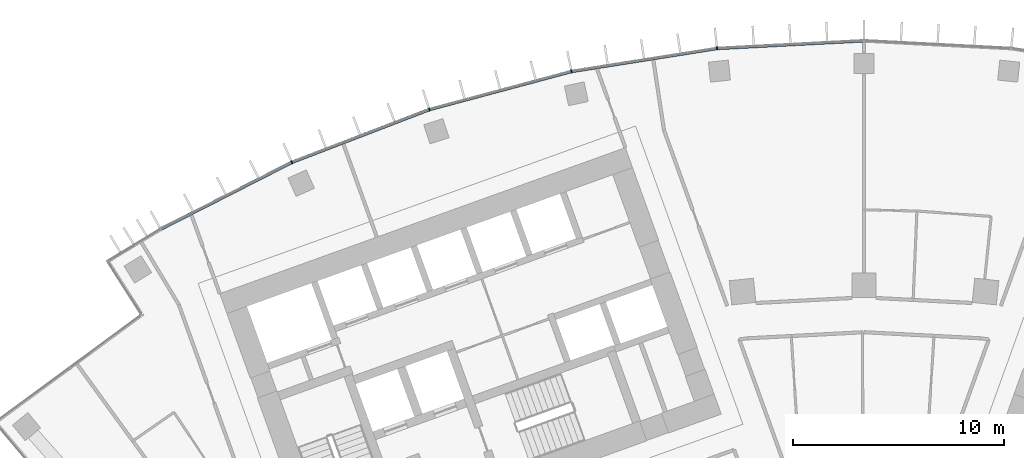
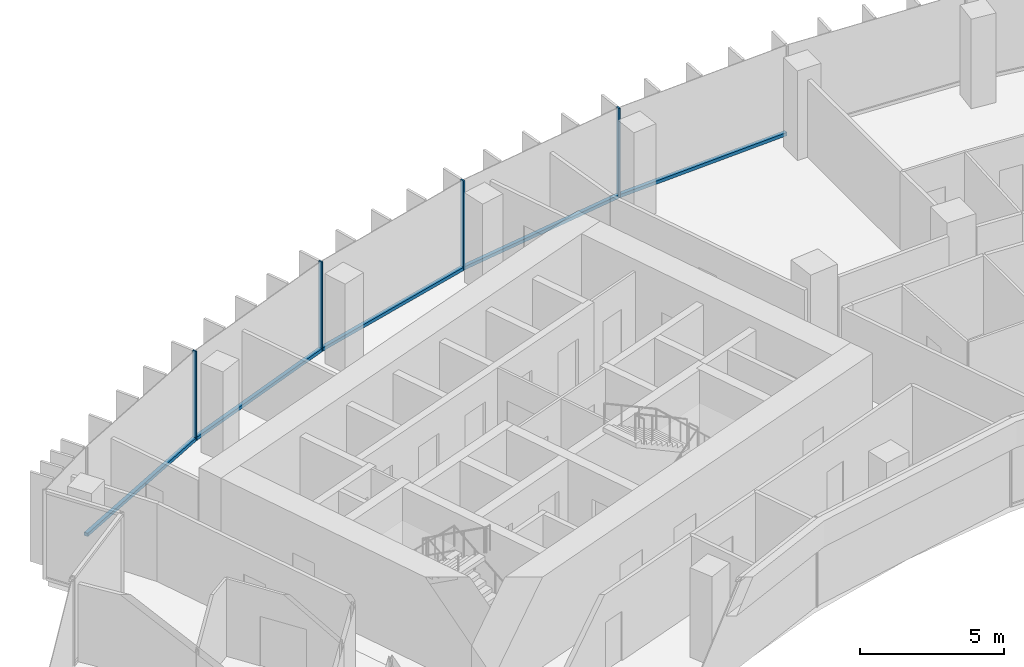
# One storey, part 6 of 19: 9 members, 1 element without a shape of its own.
"""IFC4 building model written with IfcOpenShell, lengths in metres."""

from ifc_helpers import new_model, si_unit, direction, frame, origin, origin_2d, place, context, subcontext, project, spatial, rectangle, extrude, material, layer, layer_set, material_profile, profile_set, type_object, element, aggregate, save


model = new_model("IFC4")

# Units and contexts
model_context = context("Model", 3, precision=1e-05, world=origin(), true_north=direction((0.0, 1.0)))
body_context = subcontext(model_context, "Body", "Model", "MODEL_VIEW")
ifc_project = project(units=[si_unit("LENGTHUNIT", "METRE"), si_unit("AREAUNIT", "SQUARE_METRE"), si_unit("VOLUMEUNIT", "CUBIC_METRE"), si_unit("PLANEANGLEUNIT", "RADIAN"), si_unit("MASSUNIT", "GRAM", prefix="KILO")], contexts=[model_context])

# Site, building, storey
site_placement = place(None, origin())
site = spatial("IfcSite", under=ifc_project, at=site_placement, CompositionType="ELEMENT")
building_placement = place(site_placement, origin())
building = spatial("IfcBuilding", under=site, at=building_placement, Name="Stone Belt Terrace Tower", CompositionType="ELEMENT")
storey_placement = place(building_placement, frame((0.0, 0.0, 246.60009765625)))
storey = spatial("IfcBuildingStorey", under=building, at=storey_placement, Name="L60", CompositionType="ELEMENT", Elevation=246.60009765625)

# Curtain wall, members
ifc_material = material(Name="Aluminium 6063-T6 anodised frame", Category="aluminium")
ifc_layer = layer(ifc_material, 0.14990234375)
ifc_layer_set = layer_set([ifc_layer], Name="CW-A unitised convex-face curtain wall")
curtain_wall_type = type_object("IfcCurtainWallType", Name="CW-A unitised convex-face curtain wall", PredefinedType="NOTDEFINED", material=ifc_layer_set)
curtain_wall_placement = place(storey_placement, origin())
curtain_wall = element("IfcCurtainWall", 1, at=curtain_wall_placement, inside=storey, type_object=curtain_wall_type, Name="CW-A convex face L60", PredefinedType="NOTDEFINED")
ifc_material_profile_1 = material_profile(ifc_material, rectangle(XDim=0.14990234375, YDim=0.06005859375, at=origin_2d()), Name="Aluminium 6063-T6 60x150")
ifc_profile_set_1 = profile_set([ifc_material_profile_1], Name="Aluminium 6063-T6 anodised frame")
member_type_1 = type_object("IfcMemberType", Name="CW-A mullion 60 x 150", PredefinedType="MULLION", material=ifc_profile_set_1)
member_1_placement = place(storey_placement, frame((-6.958984375, 66.21044921875, 0.0), z_axis=(0.0, 0.0, 1.0), x_axis=(0.104528463268, -0.994521895368, 0.0)))
member_1 = element("IfcMember", 2, at=member_1_placement, type_object=member_type_1, Name="CW-A mullion 10", PredefinedType="MULLION", context=body_context, shape_type="SweptSolid", body=[
    extrude(rectangle(XDim=0.14990234375, YDim=0.06005859375, at=origin_2d()), origin(), (0.0, 0.0, 1.0), 3.7998046875),
])
member_2_placement = place(storey_placement, frame((-13.841796875, 65.120361328125, 0.0), z_axis=(0.0, 0.0, 1.0), x_axis=(0.207911690818, -0.978147600734, 0.0)))
member_2 = element("IfcMember", 3, at=member_2_placement, type_object=member_type_1, Name="CW-A mullion 11", PredefinedType="MULLION", context=body_context, shape_type="SweptSolid", body=[
    extrude(rectangle(XDim=0.14990234375, YDim=0.06005859375, at=origin_2d()), origin(), (0.0, 0.0, 1.0), 3.7998046875),
])
member_3_placement = place(storey_placement, frame((-20.57275390625, 63.316650390625, 0.0), z_axis=(0.0, 0.0, 1.0), x_axis=(0.309016994375, -0.951056516295, 0.0)))
member_3 = element("IfcMember", 4, at=member_3_placement, type_object=member_type_1, Name="CW-A mullion 12", PredefinedType="MULLION", context=body_context, shape_type="SweptSolid", body=[
    extrude(rectangle(XDim=0.14990234375, YDim=0.06005859375, at=origin_2d()), origin(), (0.0, 0.0, 1.0), 3.7998046875),
])
member_4_placement = place(storey_placement, frame((-27.07861328125, 60.8193359375, 0.0), z_axis=(0.0, 0.0, 1.0), x_axis=(0.406736643076, -0.913545457643, 0.0)))
member_4 = element("IfcMember", 5, at=member_4_placement, type_object=member_type_1, Name="CW-A mullion 13", PredefinedType="MULLION", context=body_context, shape_type="SweptSolid", body=[
    extrude(rectangle(XDim=0.14990234375, YDim=0.06005859375, at=origin_2d()), origin(), (0.0, 0.0, 1.0), 3.7998046875),
])
ifc_material_profile_2 = material_profile(ifc_material, rectangle(XDim=0.14990234375, YDim=0.139892578125, at=origin_2d()), Name="Aluminium 6063-T6 150x140")
ifc_profile_set_2 = profile_set([ifc_material_profile_2], Name="Aluminium 6063-T6 anodised frame")
member_type_2 = type_object("IfcMemberType", Name="CW-A transom 140 x 150", PredefinedType="USERDEFINED", material=ifc_profile_set_2)
member_5_placement = place(storey_placement, frame((-0.033935546875, 66.5732421875, 0.06982421875), z_axis=(-0.998630019135, -0.052326712899, 0.0), x_axis=(0.052326712899, -0.998630019135, 0.0)))
member_5 = element("IfcMember", 6, at=member_5_placement, type_object=member_type_2, Name="CW-A transom 9.1", ObjectType="TRANSOM", PredefinedType="USERDEFINED", context=body_context, shape_type="SweptSolid", body=[
    extrude(rectangle(XDim=0.14990234375, YDim=0.139892578125, at=origin_2d()), origin(), (0.0, 0.0, 1.0), 6.900634765625),
])
member_6_placement = place(storey_placement, frame((-6.992431640625, 66.205078125, 0.06982421875), z_axis=(-0.987687120531, -0.156442168027, 0.0), x_axis=(0.156442168027, -0.987687120531, 0.0)))
member_6 = element("IfcMember", 7, at=member_6_placement, type_object=member_type_2, Name="CW-A transom 10.1", ObjectType="TRANSOM", PredefinedType="USERDEFINED", context=body_context, shape_type="SweptSolid", body=[
    extrude(rectangle(XDim=0.14990234375, YDim=0.139892578125, at=origin_2d()), origin(), (0.0, 0.0, 1.0), 6.90087890625),
])
member_7_placement = place(storey_placement, frame((-13.87451171875, 65.111572265625, 0.06982421875), z_axis=(-0.965921835863, -0.258833937117, 0.0), x_axis=(0.258833937117, -0.965921835863, 0.0)))
member_7 = element("IfcMember", 8, at=member_7_placement, type_object=member_type_2, Name="CW-A transom 11.1", ObjectType="TRANSOM", PredefinedType="USERDEFINED", context=body_context, shape_type="SweptSolid", body=[
    extrude(rectangle(XDim=0.14990234375, YDim=0.139892578125, at=origin_2d()), origin(), (0.0, 0.0, 1.0), 6.900634765625),
])
member_8_placement = place(storey_placement, frame((-20.6044921875, 63.304443359375, 0.06982421875), z_axis=(-0.933585210269, -0.358355487146, 0.0), x_axis=(0.358355487146, -0.933585210269, 0.0)))
member_8 = element("IfcMember", 9, at=member_8_placement, type_object=member_type_2, Name="CW-A transom 12.1", ObjectType="TRANSOM", PredefinedType="USERDEFINED", context=body_context, shape_type="SweptSolid", body=[
    extrude(rectangle(XDim=0.14990234375, YDim=0.139892578125, at=origin_2d()), origin(), (0.0, 0.0, 1.0), 6.900634765625),
])
member_9_placement = place(storey_placement, frame((-27.108642578125, 60.803955078125, 0.06982421875), z_axis=(-0.891012226264, -0.453979308613, 0.0), x_axis=(0.453979308613, -0.891012226264, 0.0)))
member_9 = element("IfcMember", 10, at=member_9_placement, type_object=member_type_2, Name="CW-A transom 13.1", ObjectType="TRANSOM", PredefinedType="USERDEFINED", context=body_context, shape_type="SweptSolid", body=[
    extrude(rectangle(XDim=0.14990234375, YDim=0.139892578125, at=origin_2d()), origin(), (0.0, 0.0, 1.0), 6.90087890625),
])
aggregate(curtain_wall, [member_1, member_2, member_3, member_4, member_5, member_6, member_7, member_8, member_9])

save(model, "model.ifc")
